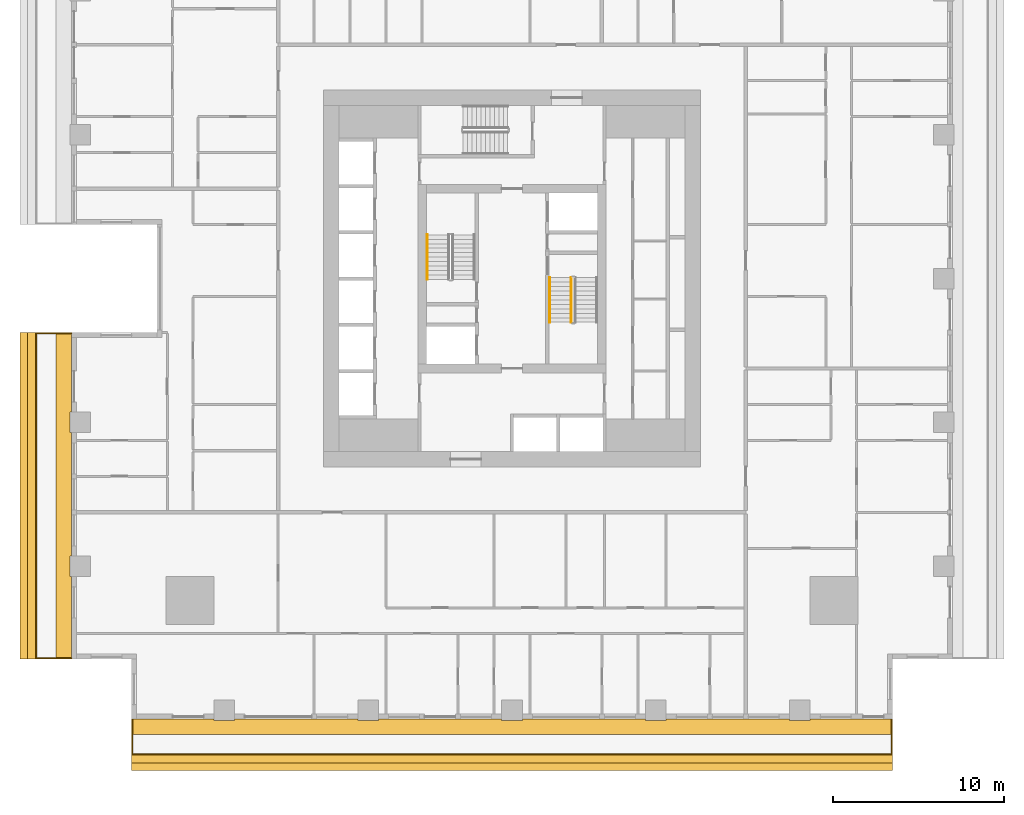
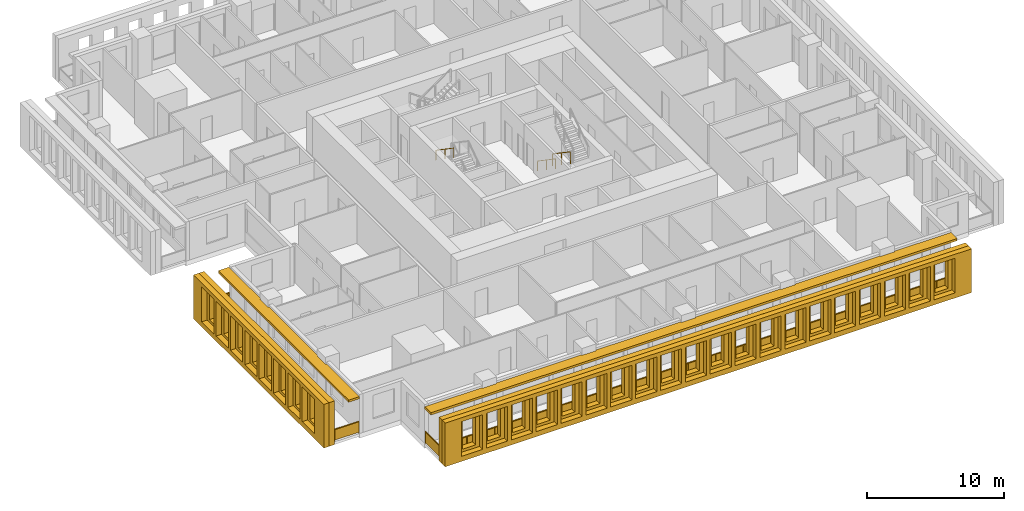
# One storey, part 11 of 15: 6 shading devices, 5 railings.
"""IFC4 building model written with IfcOpenShell, lengths in metres."""

import ifcopenshell
import ifcopenshell.guid

model = None  # the IFC model being written
_history = None  # IfcOwnerHistory: only IFC2X3 demands one
_inside = {}  # id of a spatial element -> (the spatial element, [elements in it])
_under = {}  # id of a project, library or spatial element -> (it, [spatial elements below it])
_declared = {}  # id of a project -> (the project, [libraries it declares])
_typed = {}  # id of a type object -> (the type object, [elements of that type])
_made_of = {}  # id of a material, layer set ... -> (it, [elements and type objects made of it])


def new_model(schema):
    """Start an empty IFC model of exactly this schema.

    Asked for "IFC4X3", IfcOpenShell would pick the latest addendum, in which some entities
    have other attributes; the version numbers below select the first issue.
    IFC2X3 requires an IfcOwnerHistory on every rooted entity: one is made here for all.
    """
    global model, _history
    if schema == "IFC4X3":
        model = ifcopenshell.file(schema_version=(4, 3, 0, 0))
    else:
        model = ifcopenshell.file(schema=schema)
    _inside.clear()
    _under.clear()
    _declared.clear()
    _typed.clear()
    _made_of.clear()
    _history = None
    if model.schema == "IFC2X3":
        org = make("IfcOrganization", Name="unknown")
        user = make(
            "IfcPersonAndOrganization",
            ThePerson=make("IfcPerson", FamilyName="unknown"),
            TheOrganization=org,
        )
        app = make(
            "IfcApplication",
            ApplicationDeveloper=org,
            Version="unknown",
            ApplicationFullName="unknown",
            ApplicationIdentifier="unknown",
        )
        _history = make(
            "IfcOwnerHistory",
            OwningUser=user,
            OwningApplication=app,
            ChangeAction="ADDED",
            CreationDate=0,
        )
    return model


def make(cls, **values):
    """One entity of the class cls with the attributes given. An attribute that is None is left unset."""
    return model.create_entity(
        cls, **{name: value for name, value in values.items() if value is not None}
    )


def rooted(cls, **values):
    """An entity with a GlobalId (a new one), such as an element, a storey or a relation."""
    return make(cls, GlobalId=ifcopenshell.guid.new(), OwnerHistory=_history, **values)


def si_unit(unit_type, name, prefix=None):
    """IfcSIUnit, for example si_unit("LENGTHUNIT", "METRE", prefix="MILLI")."""
    return make("IfcSIUnit", UnitType=unit_type, Prefix=prefix, Name=name)


def assignment(units):
    """IfcUnitAssignment: the units of a project."""
    return None if units is None else make("IfcUnitAssignment", Units=units)


def point(xyz):
    """IfcCartesianPoint."""
    return None if xyz is None else make("IfcCartesianPoint", Coordinates=xyz)


def direction(xyz):
    """IfcDirection."""
    return None if xyz is None else make("IfcDirection", DirectionRatios=xyz)


def frame(location, z_axis=None, x_axis=None):
    """IfcAxis2Placement3D, a coordinate frame: its origin and axes. An axis left out is left unset."""
    return make(
        "IfcAxis2Placement3D",
        Location=point(location),
        Axis=direction(z_axis),
        RefDirection=direction(x_axis),
    )


def frame_2d(location, x_axis=None):
    """IfcAxis2Placement2D, a coordinate frame in the plane: its origin and x axis."""
    return make(
        "IfcAxis2Placement2D", Location=point(location), RefDirection=direction(x_axis)
    )


def origin():
    """The frame at (0, 0, 0) with its axes left unset."""
    return frame((0.0, 0.0, 0.0))


def origin_2d():
    """The frame at (0, 0) in the plane with its x axis left unset."""
    return frame_2d((0.0, 0.0))


def place(relative_to, where):
    """IfcLocalPlacement: puts the frame where relative to a parent placement (None: the world)."""
    return make(
        "IfcLocalPlacement", PlacementRelTo=relative_to, RelativePlacement=where
    )


def context(
    kind, dimensions, precision=None, world=None, true_north=None, identifier=None
):
    """IfcGeometricRepresentationContext, for example the 3D "Model" context."""
    return make(
        "IfcGeometricRepresentationContext",
        ContextIdentifier=identifier,
        ContextType=kind,
        CoordinateSpaceDimension=dimensions,
        Precision=precision,
        WorldCoordinateSystem=world,
        TrueNorth=true_north,
    )


def subcontext(parent, identifier, kind, view, scale=None):
    """IfcGeometricRepresentationSubContext, for example "Body" below "Model"."""
    return make(
        "IfcGeometricRepresentationSubContext",
        ContextIdentifier=identifier,
        ContextType=kind,
        ParentContext=parent,
        TargetScale=scale,
        TargetView=view,
    )


def project(units=None, contexts=None):
    """IfcProject with its units and contexts."""
    return rooted(
        "IfcProject",
        Name="project",
        RepresentationContexts=contexts,
        UnitsInContext=assignment(units),
    )


def spatial(cls, under=None, at=None, **own):
    """A site, building, storey or space (cls), placed at a placement, below another one or the project."""
    s = rooted(cls, ObjectPlacement=at, **own)
    if under is not None:
        _under.setdefault(under.id(), (under, []))[1].append(s)
    return s


def polyline(points):
    """IfcPolyline through the points."""
    return make("IfcPolyline", Points=[point(p) for p in points])


def profile(cls, at=None, kind="AREA", **sizes):
    """A parametric profile (cls). Its sizes go by their IFC names, for example OverallWidth=200.0."""
    return make(cls, ProfileType=kind, Position=at, **sizes)


def rectangle(**sizes):
    """IfcRectangleProfileDef."""
    return profile("IfcRectangleProfileDef", **sizes)


def outline(outer, holes=None, kind="AREA"):
    """IfcArbitraryClosedProfileDef: a profile drawn as a closed curve; with holes, ...WithVoids."""
    if holes is None:
        return make("IfcArbitraryClosedProfileDef", ProfileType=kind, OuterCurve=outer)
    return make(
        "IfcArbitraryProfileDefWithVoids",
        ProfileType=kind,
        OuterCurve=outer,
        InnerCurves=holes,
    )


def extrude(swept, where, along, depth):
    """IfcExtrudedAreaSolid: the profile swept, set in the frame where, extruded along a direction by depth."""
    return make(
        "IfcExtrudedAreaSolid",
        SweptArea=swept,
        Position=where,
        ExtrudedDirection=direction(along),
        Depth=depth,
    )


def shape(context_of_items, identifier, shape_type, items):
    """IfcShapeRepresentation: the items that make up one representation, for example the "Body"."""
    return make(
        "IfcShapeRepresentation",
        ContextOfItems=context_of_items,
        RepresentationIdentifier=identifier,
        RepresentationType=shape_type,
        Items=items,
    )


def material(Name=None, Category=None):
    """IfcMaterial."""
    return make("IfcMaterial", Name=Name, Category=Category)


def layer(
    of_material, thickness, ventilated=None, Name=None, Category=None, Priority=None
):
    """IfcMaterialLayer: one layer of a wall or slab, of a material (None: an air gap)."""
    return make(
        "IfcMaterialLayer",
        Material=of_material,
        LayerThickness=thickness,
        IsVentilated=ventilated,
        Name=Name,
        Category=Category,
        Priority=Priority,
    )


def layer_set(layers, Name=None):
    """IfcMaterialLayerSet."""
    return make("IfcMaterialLayerSet", MaterialLayers=layers, LayerSetName=Name)


def made_of(thing, what):
    """Note that an element or type object is made of a material, layer set ...; save() writes the relation."""
    if what is not None:
        _made_of.setdefault(what.id(), (what, []))[1].append(thing)
    return thing


def type_object(cls, material=None, **own):
    """A type object (cls), such as IfcWallType, which elements share."""
    return made_of(rooted(cls, **own), material)


def element(
    cls,
    number,
    at=None,
    inside=None,
    cuts=None,
    type_object=None,
    material=None,
    context=None,
    identifier="Body",
    shape_type=None,
    held_by="IfcProductDefinitionShape",
    body=None,
    shapes=None,
    **own,
):
    """One element of the class cls, such as IfcWall. Its Tag is "e" and its number.

    at: its placement. inside: the storey or other place that contains it. cuts: it is an
    opening in that element (IfcRelVoidsElement). A single representation is given by context,
    identifier, shape_type and body (its items); several are given by shapes. held_by: the class
    of the entity that holds the representations. save() writes the other relations.
    """
    e = rooted(cls, Tag="e%d" % number, ObjectPlacement=at, **own)
    if body is not None:
        shapes = [shape(context, identifier, shape_type, body)]
    if shapes is not None:
        e.Representation = make(held_by, Representations=shapes)
    if inside is not None:
        _inside.setdefault(inside.id(), (inside, []))[1].append(e)
    if cuts is not None:
        rooted(
            "IfcRelVoidsElement", RelatingBuildingElement=cuts, RelatedOpeningElement=e
        )
    if type_object is not None:
        _typed.setdefault(type_object.id(), (type_object, []))[1].append(e)
    return made_of(e, material)


def aggregate(whole, parts):
    """IfcRelAggregates: a whole, such as a stair, and the parts it consists of."""
    return rooted("IfcRelAggregates", RelatingObject=whole, RelatedObjects=parts)


def save(model, path):
    """Write the relations noted so far, then the file.

    IfcRelAggregates (storeys below a building ...), IfcRelContainedInSpatialStructure (elements
    in a storey), IfcRelDefinesByType, IfcRelAssociatesMaterial and IfcRelDeclares: one each for
    every whole, place, type object, material and project.
    """
    for whole, parts in _under.values():
        aggregate(whole, parts)
    for where, things in _inside.values():
        rooted(
            "IfcRelContainedInSpatialStructure",
            RelatedElements=things,
            RelatingStructure=where,
        )
    for kind, things in _typed.values():
        rooted("IfcRelDefinesByType", RelatedObjects=things, RelatingType=kind)
    for what, things in _made_of.values():
        rooted("IfcRelAssociatesMaterial", RelatedObjects=things, RelatingMaterial=what)
    for by, libraries in _declared.values():
        rooted("IfcRelDeclares", RelatingContext=by, RelatedDefinitions=libraries)
    model.write(path)


model = new_model("IFC4")

# Units and contexts
model_context = context("Model", 3, precision=1e-05, world=origin(), true_north=direction((0.0, 1.0)))
body_context = subcontext(model_context, "Body", "Model", "MODEL_VIEW")
ifc_project = project(units=[si_unit("LENGTHUNIT", "METRE"), si_unit("AREAUNIT", "SQUARE_METRE"), si_unit("VOLUMEUNIT", "CUBIC_METRE"), si_unit("PLANEANGLEUNIT", "RADIAN"), si_unit("MASSUNIT", "GRAM", prefix="KILO")], contexts=[model_context])

# Site, building, storey
site_placement = place(None, origin())
site = spatial("IfcSite", under=ifc_project, at=site_placement, CompositionType="ELEMENT")
building_placement = place(site_placement, origin())
building = spatial("IfcBuilding", under=site, at=building_placement, Name="Khepri Terraces", CompositionType="ELEMENT")
storey_placement = place(building_placement, frame((0.0, 0.0, 83.10009765625)))
storey = spatial("IfcBuildingStorey", under=building, at=storey_placement, Name="L19", CompositionType="ELEMENT", Elevation=83.10009765625)

# Railings
ifc_material_1 = material(Name="Stainless steel grade 316", Category="steel")
railing_type_1 = type_object("IfcRailingType", Name="GRD-BAL-1100", PredefinedType="GUARDRAIL", material=ifc_material_1)
railing_1_placement = place(storey_placement, frame((-22.169921875, -25.719970703125, 0.0)))
element("IfcRailing", 1, at=railing_1_placement, inside=storey, type_object=railing_type_1, Name="Balcony guard L19 S", PredefinedType="GUARDRAIL", context=body_context, shape_type="SweptSolid", body=[
    extrude(rectangle(XDim=0.050048828125, YDim=0.06005859375, at=origin_2d()), frame((0.0, 0.0, 1.070068359375), z_axis=(0.0, -1.0, 0.0), x_axis=(1.0, 0.0, 0.0)), (0.0, 0.0, 1.0), 2.050048828125),
    extrude(rectangle(XDim=2.0, YDim=0.011962890625, at=origin_2d()), frame((0.0, -1.02490234375, 0.10009765625), z_axis=(0.0, 0.0, 1.0), x_axis=(0.0, -1.0, 0.0)), (0.0, 0.0, 1.0), 0.93994140625),
    extrude(rectangle(XDim=0.050048828125, YDim=0.06005859375, at=origin_2d()), frame((0.0, -2.050048828125, 1.070068359375), z_axis=(1.0, 0.0, 0.0), x_axis=(0.0, 1.0, 0.0)), (0.0, 0.0, 1.0), 44.33984375),
    extrude(rectangle(XDim=2.28369140625, YDim=0.011962890625, at=origin_2d()), frame((1.166748046875, -2.050048828125, 0.10009765625), z_axis=(0.0, 0.0, 1.0), x_axis=(1.0, 0.0, 0.0)), (0.0, 0.0, 1.0), 0.93994140625),
    extrude(rectangle(XDim=2.28369140625, YDim=0.011962890625, at=origin_2d()), frame((3.50048828125, -2.050048828125, 0.10009765625), z_axis=(0.0, 0.0, 1.0), x_axis=(1.0, 0.0, 0.0)), (0.0, 0.0, 1.0), 0.93994140625),
    extrude(rectangle(XDim=2.28369140625, YDim=0.011962890625, at=origin_2d()), frame((5.834228515625, -2.050048828125, 0.10009765625), z_axis=(0.0, 0.0, 1.0), x_axis=(1.0, 0.0, 0.0)), (0.0, 0.0, 1.0), 0.93994140625),
    extrude(rectangle(XDim=2.28369140625, YDim=0.011962890625, at=origin_2d()), frame((8.16796875, -2.050048828125, 0.10009765625), z_axis=(0.0, 0.0, 1.0), x_axis=(1.0, 0.0, 0.0)), (0.0, 0.0, 1.0), 0.93994140625),
    extrude(rectangle(XDim=2.28369140625, YDim=0.011962890625, at=origin_2d()), frame((10.50146484375, -2.050048828125, 0.10009765625), z_axis=(0.0, 0.0, 1.0), x_axis=(1.0, 0.0, 0.0)), (0.0, 0.0, 1.0), 0.93994140625),
    extrude(rectangle(XDim=2.28369140625, YDim=0.011962890625, at=origin_2d()), frame((12.835205078125, -2.050048828125, 0.10009765625), z_axis=(0.0, 0.0, 1.0), x_axis=(1.0, 0.0, 0.0)), (0.0, 0.0, 1.0), 0.93994140625),
    extrude(rectangle(XDim=2.28369140625, YDim=0.011962890625, at=origin_2d()), frame((15.1689453125, -2.050048828125, 0.10009765625), z_axis=(0.0, 0.0, 1.0), x_axis=(1.0, 0.0, 0.0)), (0.0, 0.0, 1.0), 0.93994140625),
    extrude(rectangle(XDim=2.28369140625, YDim=0.011962890625, at=origin_2d()), frame((17.502685546875, -2.050048828125, 0.10009765625), z_axis=(0.0, 0.0, 1.0), x_axis=(1.0, 0.0, 0.0)), (0.0, 0.0, 1.0), 0.93994140625),
    extrude(rectangle(XDim=2.28369140625, YDim=0.011962890625, at=origin_2d()), frame((19.836181640625, -2.050048828125, 0.10009765625), z_axis=(0.0, 0.0, 1.0), x_axis=(1.0, 0.0, 0.0)), (0.0, 0.0, 1.0), 0.93994140625),
    extrude(rectangle(XDim=2.28369140625, YDim=0.011962890625, at=origin_2d()), frame((22.169921875, -2.050048828125, 0.10009765625), z_axis=(0.0, 0.0, 1.0), x_axis=(1.0, 0.0, 0.0)), (0.0, 0.0, 1.0), 0.93994140625),
    extrude(rectangle(XDim=2.28369140625, YDim=0.011962890625, at=origin_2d()), frame((24.503662109375, -2.050048828125, 0.10009765625), z_axis=(0.0, 0.0, 1.0), x_axis=(1.0, 0.0, 0.0)), (0.0, 0.0, 1.0), 0.93994140625),
    extrude(rectangle(XDim=2.28369140625, YDim=0.011962890625, at=origin_2d()), frame((26.837158203125, -2.050048828125, 0.10009765625), z_axis=(0.0, 0.0, 1.0), x_axis=(1.0, 0.0, 0.0)), (0.0, 0.0, 1.0), 0.93994140625),
    extrude(rectangle(XDim=2.28369140625, YDim=0.011962890625, at=origin_2d()), frame((29.1708984375, -2.050048828125, 0.10009765625), z_axis=(0.0, 0.0, 1.0), x_axis=(1.0, 0.0, 0.0)), (0.0, 0.0, 1.0), 0.93994140625),
    extrude(rectangle(XDim=2.28369140625, YDim=0.011962890625, at=origin_2d()), frame((31.504638671875, -2.050048828125, 0.10009765625), z_axis=(0.0, 0.0, 1.0), x_axis=(1.0, 0.0, 0.0)), (0.0, 0.0, 1.0), 0.93994140625),
    extrude(rectangle(XDim=2.28369140625, YDim=0.011962890625, at=origin_2d()), frame((33.83837890625, -2.050048828125, 0.10009765625), z_axis=(0.0, 0.0, 1.0), x_axis=(1.0, 0.0, 0.0)), (0.0, 0.0, 1.0), 0.93994140625),
    extrude(rectangle(XDim=2.28369140625, YDim=0.011962890625, at=origin_2d()), frame((36.171875, -2.050048828125, 0.10009765625), z_axis=(0.0, 0.0, 1.0), x_axis=(1.0, 0.0, 0.0)), (0.0, 0.0, 1.0), 0.93994140625),
    extrude(rectangle(XDim=2.28369140625, YDim=0.011962890625, at=origin_2d()), frame((38.505615234375, -2.050048828125, 0.10009765625), z_axis=(0.0, 0.0, 1.0), x_axis=(1.0, 0.0, 0.0)), (0.0, 0.0, 1.0), 0.93994140625),
    extrude(rectangle(XDim=2.28369140625, YDim=0.011962890625, at=origin_2d()), frame((40.83935546875, -2.050048828125, 0.10009765625), z_axis=(0.0, 0.0, 1.0), x_axis=(1.0, 0.0, 0.0)), (0.0, 0.0, 1.0), 0.93994140625),
    extrude(rectangle(XDim=2.28369140625, YDim=0.011962890625, at=origin_2d()), frame((43.173095703125, -2.050048828125, 0.10009765625), z_axis=(0.0, 0.0, 1.0), x_axis=(1.0, 0.0, 0.0)), (0.0, 0.0, 1.0), 0.93994140625),
    extrude(rectangle(XDim=0.050048828125, YDim=0.06005859375, at=origin_2d()), frame((44.33984375, -2.050048828125, 1.070068359375), z_axis=(0.0, 1.0, 0.0), x_axis=(-1.0, 0.0, 0.0)), (0.0, 0.0, 1.0), 2.050048828125),
    extrude(rectangle(XDim=2.0, YDim=0.011962890625, at=origin_2d()), frame((44.33984375, -1.02490234375, 0.10009765625), z_axis=(0.0, 0.0, 1.0), x_axis=(0.0, 1.0, 0.0)), (0.0, 0.0, 1.0), 0.93994140625),
    extrude(rectangle(XDim=0.050048828125, YDim=0.050048828125, at=origin_2d()), origin(), (0.0, 0.0, 1.0), 1.0400390625),
    extrude(rectangle(XDim=0.050048828125, YDim=0.050048828125, at=origin_2d()), frame((0.0, -2.050048828125, 0.0)), (0.0, 0.0, 1.0), 1.0400390625),
    extrude(rectangle(XDim=0.050048828125, YDim=0.050048828125, at=origin_2d()), frame((2.333740234375, -2.050048828125, 0.0)), (0.0, 0.0, 1.0), 1.0400390625),
    extrude(rectangle(XDim=0.050048828125, YDim=0.050048828125, at=origin_2d()), frame((4.667236328125, -2.050048828125, 0.0)), (0.0, 0.0, 1.0), 1.0400390625),
    extrude(rectangle(XDim=0.050048828125, YDim=0.050048828125, at=origin_2d()), frame((7.0009765625, -2.050048828125, 0.0)), (0.0, 0.0, 1.0), 1.0400390625),
    extrude(rectangle(XDim=0.050048828125, YDim=0.050048828125, at=origin_2d()), frame((9.334716796875, -2.050048828125, 0.0)), (0.0, 0.0, 1.0), 1.0400390625),
    extrude(rectangle(XDim=0.050048828125, YDim=0.050048828125, at=origin_2d()), frame((11.66845703125, -2.050048828125, 0.0)), (0.0, 0.0, 1.0), 1.0400390625),
    extrude(rectangle(XDim=0.050048828125, YDim=0.050048828125, at=origin_2d()), frame((14.001953125, -2.050048828125, 0.0)), (0.0, 0.0, 1.0), 1.0400390625),
    extrude(rectangle(XDim=0.050048828125, YDim=0.050048828125, at=origin_2d()), frame((16.335693359375, -2.050048828125, 0.0)), (0.0, 0.0, 1.0), 1.0400390625),
    extrude(rectangle(XDim=0.050048828125, YDim=0.050048828125, at=origin_2d()), frame((18.66943359375, -2.050048828125, 0.0)), (0.0, 0.0, 1.0), 1.0400390625),
    extrude(rectangle(XDim=0.050048828125, YDim=0.050048828125, at=origin_2d()), frame((21.003173828125, -2.050048828125, 0.0)), (0.0, 0.0, 1.0), 1.0400390625),
    extrude(rectangle(XDim=0.050048828125, YDim=0.050048828125, at=origin_2d()), frame((23.336669921875, -2.050048828125, 0.0)), (0.0, 0.0, 1.0), 1.0400390625),
    extrude(rectangle(XDim=0.050048828125, YDim=0.050048828125, at=origin_2d()), frame((25.67041015625, -2.050048828125, 0.0)), (0.0, 0.0, 1.0), 1.0400390625),
    extrude(rectangle(XDim=0.050048828125, YDim=0.050048828125, at=origin_2d()), frame((28.004150390625, -2.050048828125, 0.0)), (0.0, 0.0, 1.0), 1.0400390625),
    extrude(rectangle(XDim=0.050048828125, YDim=0.050048828125, at=origin_2d()), frame((30.337890625, -2.050048828125, 0.0)), (0.0, 0.0, 1.0), 1.0400390625),
    extrude(rectangle(XDim=0.050048828125, YDim=0.050048828125, at=origin_2d()), frame((32.67138671875, -2.050048828125, 0.0)), (0.0, 0.0, 1.0), 1.0400390625),
    extrude(rectangle(XDim=0.050048828125, YDim=0.050048828125, at=origin_2d()), frame((35.005126953125, -2.050048828125, 0.0)), (0.0, 0.0, 1.0), 1.0400390625),
    extrude(rectangle(XDim=0.050048828125, YDim=0.050048828125, at=origin_2d()), frame((37.3388671875, -2.050048828125, 0.0)), (0.0, 0.0, 1.0), 1.0400390625),
    extrude(rectangle(XDim=0.050048828125, YDim=0.050048828125, at=origin_2d()), frame((39.672607421875, -2.050048828125, 0.0)), (0.0, 0.0, 1.0), 1.0400390625),
    extrude(rectangle(XDim=0.050048828125, YDim=0.050048828125, at=origin_2d()), frame((42.006103515625, -2.050048828125, 0.0)), (0.0, 0.0, 1.0), 1.0400390625),
    extrude(rectangle(XDim=0.050048828125, YDim=0.050048828125, at=origin_2d()), frame((44.33984375, -2.050048828125, 0.0)), (0.0, 0.0, 1.0), 1.0400390625),
    extrude(rectangle(XDim=0.050048828125, YDim=0.050048828125, at=origin_2d()), frame((44.33984375, 0.0, 0.0)), (0.0, 0.0, 1.0), 1.0400390625),
])
railing_2_placement = place(storey_placement, frame((-25.719970703125, -3.199951171875, 0.0)))
element("IfcRailing", 2, at=railing_2_placement, inside=storey, type_object=railing_type_1, Name="Balcony guard L19 W", PredefinedType="GUARDRAIL", context=body_context, shape_type="SweptSolid", body=[
    extrude(rectangle(XDim=0.050048828125, YDim=0.06005859375, at=origin_2d()), frame((0.0, 0.0, 1.070068359375), z_axis=(-1.0, 0.0, 0.0), x_axis=(0.0, -1.0, 0.0)), (0.0, 0.0, 1.0), 2.050048828125),
    extrude(rectangle(XDim=2.0, YDim=0.011962890625, at=origin_2d()), frame((-1.02490234375, 0.0, 0.10009765625), z_axis=(0.0, 0.0, 1.0), x_axis=(-1.0, 0.0, 0.0)), (0.0, 0.0, 1.0), 0.93994140625),
    extrude(rectangle(XDim=0.050048828125, YDim=0.06005859375, at=origin_2d()), frame((-2.050048828125, 0.0, 1.070068359375), z_axis=(0.0, -1.0, 0.0), x_axis=(1.0, 0.0, 0.0)), (0.0, 0.0, 1.0), 18.969970703125),
    extrude(rectangle(XDim=2.3212890625, YDim=0.011962890625, at=origin_2d()), frame((-2.050048828125, -1.185546875, 0.10009765625), z_axis=(0.0, 0.0, 1.0), x_axis=(0.0, -1.0, 0.0)), (0.0, 0.0, 1.0), 0.93994140625),
    extrude(rectangle(XDim=2.3212890625, YDim=0.011962890625, at=origin_2d()), frame((-2.050048828125, -3.556884765625, 0.10009765625), z_axis=(0.0, 0.0, 1.0), x_axis=(0.0, -1.0, 0.0)), (0.0, 0.0, 1.0), 0.93994140625),
    extrude(rectangle(XDim=2.3212890625, YDim=0.011962890625, at=origin_2d()), frame((-2.050048828125, -5.92822265625, 0.10009765625), z_axis=(0.0, 0.0, 1.0), x_axis=(0.0, -1.0, 0.0)), (0.0, 0.0, 1.0), 0.93994140625),
    extrude(rectangle(XDim=2.3212890625, YDim=0.011962890625, at=origin_2d()), frame((-2.050048828125, -8.29931640625, 0.10009765625), z_axis=(0.0, 0.0, 1.0), x_axis=(0.0, -1.0, 0.0)), (0.0, 0.0, 1.0), 0.93994140625),
    extrude(rectangle(XDim=2.3212890625, YDim=0.011962890625, at=origin_2d()), frame((-2.050048828125, -10.670654296875, 0.10009765625), z_axis=(0.0, 0.0, 1.0), x_axis=(0.0, -1.0, 0.0)), (0.0, 0.0, 1.0), 0.93994140625),
    extrude(rectangle(XDim=2.3212890625, YDim=0.011962890625, at=origin_2d()), frame((-2.050048828125, -13.041748046875, 0.10009765625), z_axis=(0.0, 0.0, 1.0), x_axis=(0.0, -1.0, 0.0)), (0.0, 0.0, 1.0), 0.93994140625),
    extrude(rectangle(XDim=2.3212890625, YDim=0.011962890625, at=origin_2d()), frame((-2.050048828125, -15.4130859375, 0.10009765625), z_axis=(0.0, 0.0, 1.0), x_axis=(0.0, -1.0, 0.0)), (0.0, 0.0, 1.0), 0.93994140625),
    extrude(rectangle(XDim=2.3212890625, YDim=0.011962890625, at=origin_2d()), frame((-2.050048828125, -17.784423828125, 0.10009765625), z_axis=(0.0, 0.0, 1.0), x_axis=(0.0, -1.0, 0.0)), (0.0, 0.0, 1.0), 0.93994140625),
    extrude(rectangle(XDim=0.050048828125, YDim=0.06005859375, at=origin_2d()), frame((-2.050048828125, -18.969970703125, 1.070068359375), z_axis=(1.0, 0.0, 0.0), x_axis=(0.0, 1.0, 0.0)), (0.0, 0.0, 1.0), 2.050048828125),
    extrude(rectangle(XDim=2.0, YDim=0.011962890625, at=origin_2d()), frame((-1.02490234375, -18.969970703125, 0.10009765625), z_axis=(0.0, 0.0, 1.0), x_axis=(1.0, 0.0, 0.0)), (0.0, 0.0, 1.0), 0.93994140625),
    extrude(rectangle(XDim=0.050048828125, YDim=0.050048828125, at=origin_2d()), origin(), (0.0, 0.0, 1.0), 1.0400390625),
    extrude(rectangle(XDim=0.050048828125, YDim=0.050048828125, at=origin_2d()), frame((-2.050048828125, 0.0, 0.0)), (0.0, 0.0, 1.0), 1.0400390625),
    extrude(rectangle(XDim=0.050048828125, YDim=0.050048828125, at=origin_2d()), frame((-2.050048828125, -2.371337890625, 0.0)), (0.0, 0.0, 1.0), 1.0400390625),
    extrude(rectangle(XDim=0.050048828125, YDim=0.050048828125, at=origin_2d()), frame((-2.050048828125, -4.742431640625, 0.0)), (0.0, 0.0, 1.0), 1.0400390625),
    extrude(rectangle(XDim=0.050048828125, YDim=0.050048828125, at=origin_2d()), frame((-2.050048828125, -7.11376953125, 0.0)), (0.0, 0.0, 1.0), 1.0400390625),
    extrude(rectangle(XDim=0.050048828125, YDim=0.050048828125, at=origin_2d()), frame((-2.050048828125, -9.48486328125, 0.0)), (0.0, 0.0, 1.0), 1.0400390625),
    extrude(rectangle(XDim=0.050048828125, YDim=0.050048828125, at=origin_2d()), frame((-2.050048828125, -11.856201171875, 0.0)), (0.0, 0.0, 1.0), 1.0400390625),
    extrude(rectangle(XDim=0.050048828125, YDim=0.050048828125, at=origin_2d()), frame((-2.050048828125, -14.2275390625, 0.0)), (0.0, 0.0, 1.0), 1.0400390625),
    extrude(rectangle(XDim=0.050048828125, YDim=0.050048828125, at=origin_2d()), frame((-2.050048828125, -16.5986328125, 0.0)), (0.0, 0.0, 1.0), 1.0400390625),
    extrude(rectangle(XDim=0.050048828125, YDim=0.050048828125, at=origin_2d()), frame((-2.050048828125, -18.969970703125, 0.0)), (0.0, 0.0, 1.0), 1.0400390625),
    extrude(rectangle(XDim=0.050048828125, YDim=0.050048828125, at=origin_2d()), frame((0.0, -18.969970703125, 0.0)), (0.0, 0.0, 1.0), 1.0400390625),
])
ifc_material_2 = material(Name="Stainless steel 316", Category="steel")
railing_type_2 = type_object("IfcRailingType", Name="RL-CORE-GUARD", PredefinedType="GUARDRAIL", material=ifc_material_2)
railing_3_placement = place(storey_placement, frame((3.449951171875, 0.050048828125, 0.17724609375)))
element("IfcRailing", 3, at=railing_3_placement, inside=storey, type_object=railing_type_2, Name="L19 ST-2 stair guard 1", PredefinedType="GUARDRAIL", context=body_context, shape_type="SweptSolid", body=[
    extrude(rectangle(XDim=0.050048828125, YDim=0.06005859375, at=origin_2d()), frame((0.0, 0.0, 1.070068359375), z_axis=(0.0, -0.826240473404, 0.563317565952), x_axis=(1.0, 0.0, 0.0)), (0.0, 0.0, 1.0), 3.14697265625),
    extrude(rectangle(XDim=0.050048828125, YDim=0.050048828125, at=origin_2d()), origin(), (0.0, 0.0, 1.0), 1.0400390625),
    extrude(rectangle(XDim=0.050048828125, YDim=0.050048828125, at=origin_2d()), frame((0.0, -1.300048828125, 0.88623046875)), (0.0, 0.0, 1.0), 1.0400390625),
    extrude(rectangle(XDim=0.050048828125, YDim=0.050048828125, at=origin_2d()), frame((0.0, -2.60009765625, 1.772705078125)), (0.0, 0.0, 1.0), 1.0400390625),
])
railing_type_3 = type_object("IfcRailingType", Name="RL-CORE-HANDRAIL", PredefinedType="HANDRAIL", material=ifc_material_2)
for number, where, name in (
    (4, (-4.949951171875, 2.550048828125, 2.127197265625), "L19 ST-1 stair handrail 2"),
    (5, (2.199951171875, 0.050048828125, 0.17724609375), "L19 ST-2 stair handrail 1"),
):
    element("IfcRailing", number, at=place(storey_placement, frame(where)), inside=storey, type_object=railing_type_3, Name=name, PredefinedType="HANDRAIL", context=body_context, shape_type="SweptSolid", body=[
        extrude(rectangle(XDim=0.050048828125, YDim=0.050048828125, at=origin_2d()), frame((0.0, 0.0, 0.875), z_axis=(0.0, -0.826240473404, 0.563317565952), x_axis=(1.0, 0.0, 0.0)), (0.0, 0.0, 1.0), 3.14697265625),
        extrude(rectangle(XDim=0.050048828125, YDim=0.050048828125, at=origin_2d()), origin(), (0.0, 0.0, 1.0), 0.849853515625),
        extrude(rectangle(XDim=0.050048828125, YDim=0.050048828125, at=origin_2d()), frame((0.0, -1.300048828125, 0.88623046875)), (0.0, 0.0, 1.0), 0.849853515625),
        extrude(rectangle(XDim=0.050048828125, YDim=0.050048828125, at=origin_2d()), frame((0.0, -2.60009765625, 1.772705078125)), (0.0, 0.0, 1.0), 0.849853515625),
    ])

# Shading devices
ifc_material_3 = material(Name="Precast concrete C50/60 warm stone", Category="masonry")
shading_device_type_1 = type_object("IfcShadingDeviceType", Name="SCR-CELL-INNER-450", PredefinedType="USERDEFINED", material=ifc_material_3)
shading_device_1_placement = place(storey_placement, frame((-22.219970703125, -27.820068359375, -0.25), z_axis=(0.0, -1.0, 0.0), x_axis=(1.0, 0.0, 0.0)))
element("IfcShadingDevice", 6, at=shading_device_1_placement, inside=storey, type_object=shading_device_type_1, Name="Cell screen L19 S in", ObjectType="SCREEN", PredefinedType="USERDEFINED", context=body_context, shape_type="SweptSolid", body=[
    extrude(outline(polyline([(0.0, 0.0), (44.43994140625, 0.0), (44.43994140625, 3.89990234375), (0.0, 3.89990234375), (0.0, 0.0)]), holes=[polyline([(1.7265625, 0.699951171875), (2.8134765625, 0.699951171875), (2.8134765625, 3.300048828125), (1.7265625, 3.300048828125), (1.7265625, 0.699951171875)]), polyline([(3.82666015625, 0.699951171875), (4.913330078125, 0.699951171875), (4.913330078125, 3.300048828125), (3.82666015625, 3.300048828125), (3.82666015625, 0.699951171875)]), polyline([(5.926513671875, 0.699951171875), (7.013427734375, 0.699951171875), (7.013427734375, 3.300048828125), (5.926513671875, 3.300048828125), (5.926513671875, 0.699951171875)]), polyline([(8.026611328125, 0.699951171875), (9.11328125, 0.699951171875), (9.11328125, 3.300048828125), (8.026611328125, 3.300048828125), (8.026611328125, 0.699951171875)]), polyline([(10.126708984375, 0.699951171875), (11.21337890625, 0.699951171875), (11.21337890625, 3.300048828125), (10.126708984375, 3.300048828125), (10.126708984375, 0.699951171875)]), polyline([(12.2265625, 0.699951171875), (13.3134765625, 0.699951171875), (13.3134765625, 3.300048828125), (12.2265625, 3.300048828125), (12.2265625, 0.699951171875)]), polyline([(14.32666015625, 0.699951171875), (15.413330078125, 0.699951171875), (15.413330078125, 3.300048828125), (14.32666015625, 3.300048828125), (14.32666015625, 0.699951171875)]), polyline([(16.426513671875, 0.699951171875), (17.513427734375, 0.699951171875), (17.513427734375, 3.300048828125), (16.426513671875, 3.300048828125), (16.426513671875, 0.699951171875)]), polyline([(18.526611328125, 0.699951171875), (19.61328125, 0.699951171875), (19.61328125, 3.300048828125), (18.526611328125, 3.300048828125), (18.526611328125, 0.699951171875)]), polyline([(20.626708984375, 0.699951171875), (21.71337890625, 0.699951171875), (21.71337890625, 3.300048828125), (20.626708984375, 3.300048828125), (20.626708984375, 0.699951171875)]), polyline([(22.7265625, 0.699951171875), (23.8134765625, 0.699951171875), (23.8134765625, 3.300048828125), (22.7265625, 3.300048828125), (22.7265625, 0.699951171875)]), polyline([(24.82666015625, 0.699951171875), (25.913330078125, 0.699951171875), (25.913330078125, 3.300048828125), (24.82666015625, 3.300048828125), (24.82666015625, 0.699951171875)]), polyline([(26.926513671875, 0.699951171875), (28.013427734375, 0.699951171875), (28.013427734375, 3.300048828125), (26.926513671875, 3.300048828125), (26.926513671875, 0.699951171875)]), polyline([(29.026611328125, 0.699951171875), (30.11328125, 0.699951171875), (30.11328125, 3.300048828125), (29.026611328125, 3.300048828125), (29.026611328125, 0.699951171875)]), polyline([(31.126708984375, 0.699951171875), (32.21337890625, 0.699951171875), (32.21337890625, 3.300048828125), (31.126708984375, 3.300048828125), (31.126708984375, 0.699951171875)]), polyline([(33.2265625, 0.699951171875), (34.3134765625, 0.699951171875), (34.3134765625, 3.300048828125), (33.2265625, 3.300048828125), (33.2265625, 0.699951171875)]), polyline([(35.32666015625, 0.699951171875), (36.413330078125, 0.699951171875), (36.413330078125, 3.300048828125), (35.32666015625, 3.300048828125), (35.32666015625, 0.699951171875)]), polyline([(37.426513671875, 0.699951171875), (38.513427734375, 0.699951171875), (38.513427734375, 3.300048828125), (37.426513671875, 3.300048828125), (37.426513671875, 0.699951171875)]), polyline([(39.526611328125, 0.699951171875), (40.61328125, 0.699951171875), (40.61328125, 3.300048828125), (39.526611328125, 3.300048828125), (39.526611328125, 0.699951171875)]), polyline([(41.626708984375, 0.699951171875), (42.71337890625, 0.699951171875), (42.71337890625, 3.300048828125), (41.626708984375, 3.300048828125), (41.626708984375, 0.699951171875)])]), origin(), (0.0, 0.0, 1.0), 0.449951171875),
])
shading_device_2_placement = place(storey_placement, frame((-27.820068359375, -3.14990234375, -0.25), z_axis=(-1.0, 0.0, 0.0), x_axis=(0.0, -1.0, 0.0)))
element("IfcShadingDevice", 7, at=shading_device_2_placement, inside=storey, type_object=shading_device_type_1, Name="Cell screen L19 W in", ObjectType="SCREEN", PredefinedType="USERDEFINED", context=body_context, shape_type="SweptSolid", body=[
    extrude(outline(polyline([(0.0, 0.0), (19.070068359375, 0.0), (19.070068359375, 3.89990234375), (0.0, 3.89990234375), (0.0, 0.0)]), holes=[polyline([(1.556640625, 0.699951171875), (2.643310546875, 0.699951171875), (2.643310546875, 3.300048828125), (1.556640625, 3.300048828125), (1.556640625, 0.699951171875)]), polyline([(3.656494140625, 0.699951171875), (4.743408203125, 0.699951171875), (4.743408203125, 3.300048828125), (3.656494140625, 3.300048828125), (3.656494140625, 0.699951171875)]), polyline([(5.756591796875, 0.699951171875), (6.843505859375, 0.699951171875), (6.843505859375, 3.300048828125), (5.756591796875, 3.300048828125), (5.756591796875, 0.699951171875)]), polyline([(7.856689453125, 0.699951171875), (8.943359375, 0.699951171875), (8.943359375, 3.300048828125), (7.856689453125, 3.300048828125), (7.856689453125, 0.699951171875)]), polyline([(9.95654296875, 0.699951171875), (11.04345703125, 0.699951171875), (11.04345703125, 3.300048828125), (9.95654296875, 3.300048828125), (9.95654296875, 0.699951171875)]), polyline([(12.056640625, 0.699951171875), (13.143310546875, 0.699951171875), (13.143310546875, 3.300048828125), (12.056640625, 3.300048828125), (12.056640625, 0.699951171875)]), polyline([(14.156494140625, 0.699951171875), (15.243408203125, 0.699951171875), (15.243408203125, 3.300048828125), (14.156494140625, 3.300048828125), (14.156494140625, 0.699951171875)]), polyline([(16.256591796875, 0.699951171875), (17.343505859375, 0.699951171875), (17.343505859375, 3.300048828125), (16.256591796875, 3.300048828125), (16.256591796875, 0.699951171875)])]), origin(), (0.0, 0.0, 1.0), 0.449951171875),
])
shading_device_type_2 = type_object("IfcShadingDeviceType", Name="SCR-CELL-OUTER-450", PredefinedType="USERDEFINED", material=ifc_material_3)
shading_device_3_placement = place(storey_placement, frame((-22.219970703125, -28.27001953125, -0.25), z_axis=(0.0, -1.0, 0.0), x_axis=(1.0, 0.0, 0.0)))
element("IfcShadingDevice", 8, at=shading_device_3_placement, inside=storey, type_object=shading_device_type_2, Name="Cell screen L19 S out", ObjectType="SCREEN", PredefinedType="USERDEFINED", context=body_context, shape_type="SweptSolid", body=[
    extrude(outline(polyline([(0.0, 0.0), (44.43994140625, 0.0), (44.43994140625, 3.89990234375), (0.0, 3.89990234375), (0.0, 0.0)]), holes=[polyline([(1.376708984375, 0.449951171875), (3.163330078125, 0.449951171875), (3.163330078125, 3.550048828125), (1.376708984375, 3.550048828125), (1.376708984375, 0.449951171875)]), polyline([(3.4765625, 0.449951171875), (5.263427734375, 0.449951171875), (5.263427734375, 3.550048828125), (3.4765625, 3.550048828125), (3.4765625, 0.449951171875)]), polyline([(5.57666015625, 0.449951171875), (7.36328125, 0.449951171875), (7.36328125, 3.550048828125), (5.57666015625, 3.550048828125), (5.57666015625, 0.449951171875)]), polyline([(7.676513671875, 0.449951171875), (9.46337890625, 0.449951171875), (9.46337890625, 3.550048828125), (7.676513671875, 3.550048828125), (7.676513671875, 0.449951171875)]), polyline([(9.776611328125, 0.449951171875), (11.5634765625, 0.449951171875), (11.5634765625, 3.550048828125), (9.776611328125, 3.550048828125), (9.776611328125, 0.449951171875)]), polyline([(11.876708984375, 0.449951171875), (13.663330078125, 0.449951171875), (13.663330078125, 3.550048828125), (11.876708984375, 3.550048828125), (11.876708984375, 0.449951171875)]), polyline([(13.9765625, 0.449951171875), (15.763427734375, 0.449951171875), (15.763427734375, 3.550048828125), (13.9765625, 3.550048828125), (13.9765625, 0.449951171875)]), polyline([(16.07666015625, 0.449951171875), (17.86328125, 0.449951171875), (17.86328125, 3.550048828125), (16.07666015625, 3.550048828125), (16.07666015625, 0.449951171875)]), polyline([(18.176513671875, 0.449951171875), (19.96337890625, 0.449951171875), (19.96337890625, 3.550048828125), (18.176513671875, 3.550048828125), (18.176513671875, 0.449951171875)]), polyline([(20.276611328125, 0.449951171875), (22.0634765625, 0.449951171875), (22.0634765625, 3.550048828125), (20.276611328125, 3.550048828125), (20.276611328125, 0.449951171875)]), polyline([(22.376708984375, 0.449951171875), (24.163330078125, 0.449951171875), (24.163330078125, 3.550048828125), (22.376708984375, 3.550048828125), (22.376708984375, 0.449951171875)]), polyline([(24.4765625, 0.449951171875), (26.263427734375, 0.449951171875), (26.263427734375, 3.550048828125), (24.4765625, 3.550048828125), (24.4765625, 0.449951171875)]), polyline([(26.57666015625, 0.449951171875), (28.36328125, 0.449951171875), (28.36328125, 3.550048828125), (26.57666015625, 3.550048828125), (26.57666015625, 0.449951171875)]), polyline([(28.676513671875, 0.449951171875), (30.46337890625, 0.449951171875), (30.46337890625, 3.550048828125), (28.676513671875, 3.550048828125), (28.676513671875, 0.449951171875)]), polyline([(30.776611328125, 0.449951171875), (32.5634765625, 0.449951171875), (32.5634765625, 3.550048828125), (30.776611328125, 3.550048828125), (30.776611328125, 0.449951171875)]), polyline([(32.876708984375, 0.449951171875), (34.663330078125, 0.449951171875), (34.663330078125, 3.550048828125), (32.876708984375, 3.550048828125), (32.876708984375, 0.449951171875)]), polyline([(34.9765625, 0.449951171875), (36.763427734375, 0.449951171875), (36.763427734375, 3.550048828125), (34.9765625, 3.550048828125), (34.9765625, 0.449951171875)]), polyline([(37.07666015625, 0.449951171875), (38.86328125, 0.449951171875), (38.86328125, 3.550048828125), (37.07666015625, 3.550048828125), (37.07666015625, 0.449951171875)]), polyline([(39.176513671875, 0.449951171875), (40.96337890625, 0.449951171875), (40.96337890625, 3.550048828125), (39.176513671875, 3.550048828125), (39.176513671875, 0.449951171875)]), polyline([(41.276611328125, 0.449951171875), (43.0634765625, 0.449951171875), (43.0634765625, 3.550048828125), (41.276611328125, 3.550048828125), (41.276611328125, 0.449951171875)])]), origin(), (0.0, 0.0, 1.0), 0.449951171875),
])
shading_device_4_placement = place(storey_placement, frame((-28.27001953125, -3.14990234375, -0.25), z_axis=(-1.0, 0.0, 0.0), x_axis=(0.0, -1.0, 0.0)))
element("IfcShadingDevice", 9, at=shading_device_4_placement, inside=storey, type_object=shading_device_type_2, Name="Cell screen L19 W out", ObjectType="SCREEN", PredefinedType="USERDEFINED", context=body_context, shape_type="SweptSolid", body=[
    extrude(outline(polyline([(0.0, 0.0), (19.070068359375, 0.0), (19.070068359375, 3.89990234375), (0.0, 3.89990234375), (0.0, 0.0)]), holes=[polyline([(1.20654296875, 0.449951171875), (2.993408203125, 0.449951171875), (2.993408203125, 3.550048828125), (1.20654296875, 3.550048828125), (1.20654296875, 0.449951171875)]), polyline([(3.306640625, 0.449951171875), (5.093505859375, 0.449951171875), (5.093505859375, 3.550048828125), (3.306640625, 3.550048828125), (3.306640625, 0.449951171875)]), polyline([(5.406494140625, 0.449951171875), (7.193359375, 0.449951171875), (7.193359375, 3.550048828125), (5.406494140625, 3.550048828125), (5.406494140625, 0.449951171875)]), polyline([(7.506591796875, 0.449951171875), (9.29345703125, 0.449951171875), (9.29345703125, 3.550048828125), (7.506591796875, 3.550048828125), (7.506591796875, 0.449951171875)]), polyline([(9.606689453125, 0.449951171875), (11.393310546875, 0.449951171875), (11.393310546875, 3.550048828125), (9.606689453125, 3.550048828125), (9.606689453125, 0.449951171875)]), polyline([(11.70654296875, 0.449951171875), (13.493408203125, 0.449951171875), (13.493408203125, 3.550048828125), (11.70654296875, 3.550048828125), (11.70654296875, 0.449951171875)]), polyline([(13.806640625, 0.449951171875), (15.593505859375, 0.449951171875), (15.593505859375, 3.550048828125), (13.806640625, 3.550048828125), (13.806640625, 0.449951171875)]), polyline([(15.906494140625, 0.449951171875), (17.693359375, 0.449951171875), (17.693359375, 3.550048828125), (15.906494140625, 3.550048828125), (15.906494140625, 0.449951171875)])]), origin(), (0.0, 0.0, 1.0), 0.449951171875),
])
ifc_layer = layer(ifc_material_3, 0.199951171875, Name="Precast concrete C50/60 warm stone", Category="masonry")
ifc_layer_set = layer_set([ifc_layer], Name="Precast concrete C50/60 warm stone")
shading_device_type_3 = type_object("IfcShadingDeviceType", Name="SSH-BAND-STONE-200", PredefinedType="USERDEFINED", material=ifc_layer_set)
shading_device_5_placement = place(storey_placement, frame((0.0, 0.0, 3.099853515625)))
element("IfcShadingDevice", 10, at=shading_device_5_placement, inside=storey, type_object=shading_device_type_3, Name="Sunshade band L19 S", ObjectType="SUNSHADE", PredefinedType="USERDEFINED", context=body_context, shape_type="SweptSolid", body=[
    extrude(outline(polyline([(-17.39990234375, -25.719970703125), (-22.219970703125, -25.719970703125), (-22.219970703125, -26.6201171875), (22.219970703125, -26.6201171875), (22.219970703125, -25.719970703125), (17.39990234375, -25.719970703125), (17.39990234375, -25.800048828125), (16.199951171875, -25.800048828125), (16.199951171875, -25.719970703125), (9.0, -25.719970703125), (9.0, -25.800048828125), (7.800048828125, -25.800048828125), (7.800048828125, -25.719970703125), (0.60009765625, -25.719970703125), (0.60009765625, -25.800048828125), (-0.60009765625, -25.800048828125), (-0.60009765625, -25.719970703125), (-7.800048828125, -25.719970703125), (-7.800048828125, -25.800048828125), (-9.0, -25.800048828125), (-9.0, -25.719970703125), (-16.199951171875, -25.719970703125), (-16.199951171875, -25.800048828125), (-17.39990234375, -25.800048828125), (-17.39990234375, -25.719970703125)])), origin(), (0.0, 0.0, 1.0), 0.199951171875),
])
shading_device_6_placement = place(storey_placement, frame((0.0, 0.0, 3.099853515625)))
element("IfcShadingDevice", 11, at=shading_device_6_placement, inside=storey, type_object=shading_device_type_3, Name="Sunshade band L19 W", ObjectType="SUNSHADE", PredefinedType="USERDEFINED", context=body_context, shape_type="SweptSolid", body=[
    extrude(outline(polyline([(-25.719970703125, -7.800048828125), (-25.719970703125, -3.14990234375), (-26.6201171875, -3.14990234375), (-26.6201171875, -22.219970703125), (-25.719970703125, -22.219970703125), (-25.719970703125, -17.39990234375), (-25.800048828125, -17.39990234375), (-25.800048828125, -16.199951171875), (-25.719970703125, -16.199951171875), (-25.719970703125, -9.0), (-25.800048828125, -9.0), (-25.800048828125, -7.800048828125), (-25.719970703125, -7.800048828125)])), origin(), (0.0, 0.0, 1.0), 0.199951171875),
])

save(model, "model.ifc")
